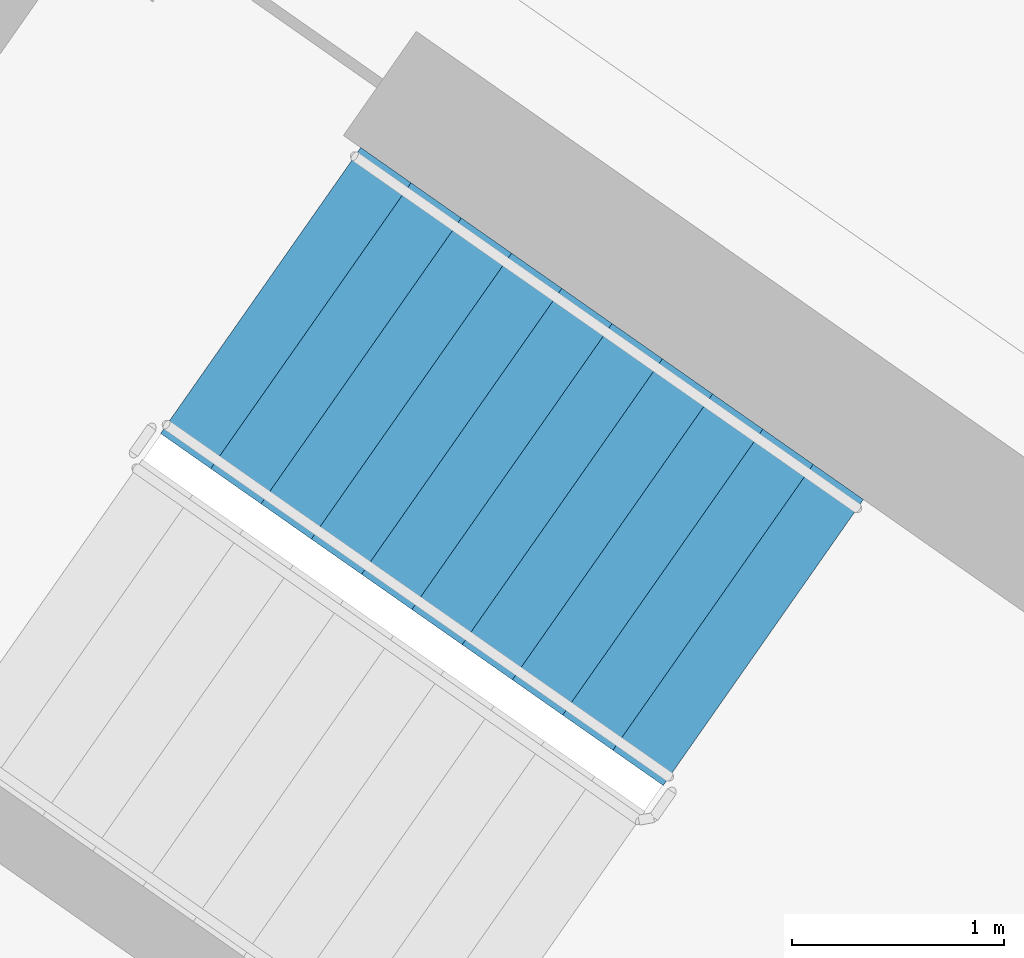
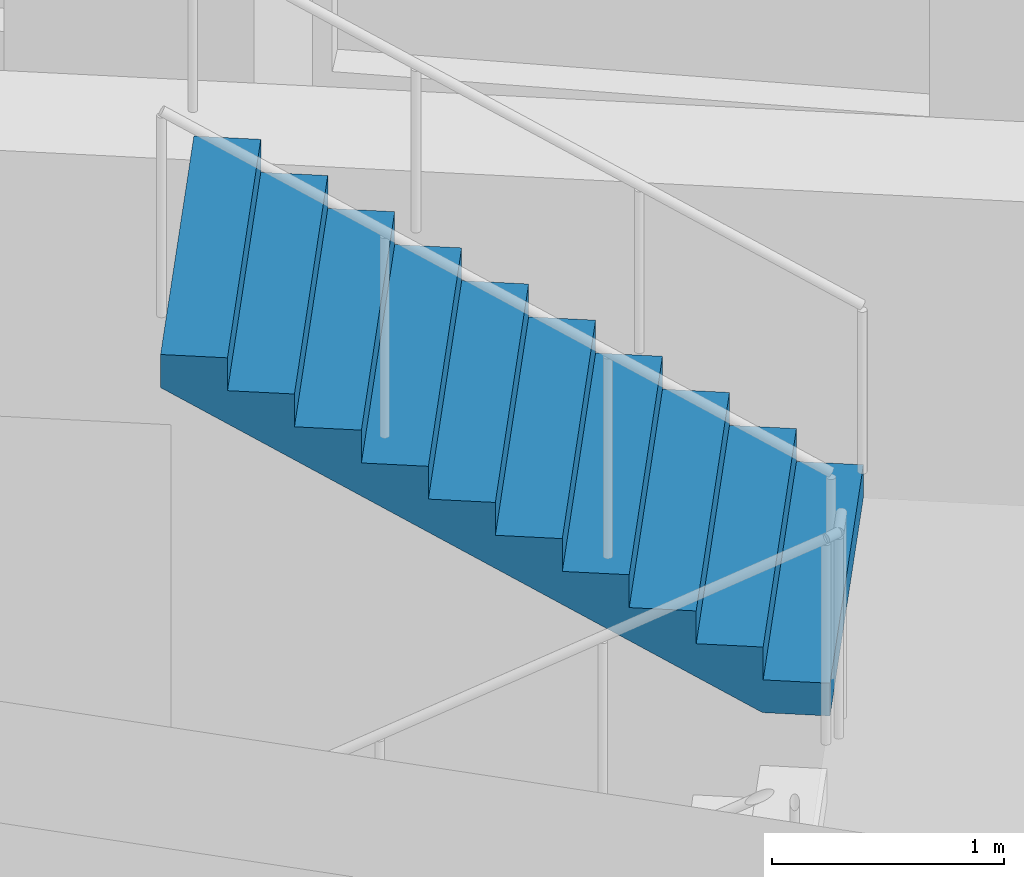
# One storey, part 14 of 26: 1 stair flight, 1 element without a shape of its own.
"""IFC4 building model written with IfcOpenShell, lengths in metres."""

from ifc_helpers import new_model, si_unit, direction, frame, origin, place, context, subcontext, project, spatial, faceted_brep, material, type_object, element, aggregate, save


model = new_model("IFC4")

# Units and contexts
model_context = context("Model", 3, precision=1e-05, world=origin(), true_north=direction((0.0, 1.0)))
body_context = subcontext(model_context, "Body", "Model", "MODEL_VIEW")
ifc_project = project(units=[si_unit("LENGTHUNIT", "METRE"), si_unit("AREAUNIT", "SQUARE_METRE"), si_unit("VOLUMEUNIT", "CUBIC_METRE"), si_unit("PLANEANGLEUNIT", "RADIAN"), si_unit("MASSUNIT", "GRAM", prefix="KILO")], contexts=[model_context])

# Site, building, storey
site_placement = place(None, origin())
site = spatial("IfcSite", under=ifc_project, at=site_placement, CompositionType="ELEMENT")
building_placement = place(site_placement, origin())
building = spatial("IfcBuilding", under=site, at=building_placement, Name="Qamariyya Broadcast Tower", CompositionType="ELEMENT")
storey_placement = place(building_placement, frame((0.0, 0.0, 183.5)))
storey = spatial("IfcBuildingStorey", under=building, at=storey_placement, Name="L43", CompositionType="ELEMENT", Elevation=183.5)

# Stair, stair flight
ifc_material = material(Name="Concrete C50/60", Category="concrete")
stair_type = type_object("IfcStairType", Name="Exit stair 22 risers of 173 mm", PredefinedType="HALF_TURN_STAIR", material=ifc_material)
stair_placement = place(storey_placement, origin())
stair = element("IfcStair", 1, at=stair_placement, inside=storey, type_object=stair_type, Name="L43 Stair W2", PredefinedType="HALF_TURN_STAIR")
stair_flight_type = type_object("IfcStairFlightType", Name="Exit stair flight 11 risers of 173 mm", PredefinedType="STRAIGHT", material=ifc_material)
stair_flight_placement = place(storey_placement, frame((-38.18310546875, -49.3486328125, 1.89990234375), z_axis=(0.0, 0.0, 1.0), x_axis=(-0.819152044289, 0.573576436351, 0.0)))
stair_flight = element("IfcStairFlight", 2, at=stair_flight_placement, type_object=stair_flight_type, Name="ST-W2 flight 2", NumberOfRisers=11, NumberOfTreads=10, PredefinedType="STRAIGHT", RiserHeight=0.172727273, TreadLength=0.29, context=body_context, shape_type="Brep", body=[
    faceted_brep([(0.0, 0.824951171875, 0.0), (0.0, 0.824951171875, 0.172607421875), (0.2900390625, 0.824951171875, 0.172607421875), (0.2900390625, 0.824951171875, 0.345458984375), (0.580078125, 0.824951171875, 0.345458984375), (0.580078125, 0.824951171875, 0.51806640625), (0.8701171875, 0.824951171875, 0.51806640625), (0.8701171875, 0.824951171875, 0.69091796875), (1.159912109375, 0.824951171875, 0.69091796875), (1.159912109375, 0.824951171875, 0.863525390625), (1.449951171875, 0.824951171875, 0.863525390625), (1.449951171875, 0.824951171875, 1.036376953125), (1.739990234375, 0.824951171875, 1.036376953125), (1.739990234375, 0.824951171875, 1.208984375), (2.030029296875, 0.824951171875, 1.208984375), (2.030029296875, 0.824951171875, 1.3818359375), (2.320068359375, 0.824951171875, 1.3818359375), (2.320068359375, 0.824951171875, 1.554443359375), (2.610107421875, 0.824951171875, 1.554443359375), (2.610107421875, 0.824951171875, 1.727294921875), (2.89990234375, 0.824951171875, 1.727294921875), (2.89990234375, 0.824951171875, 1.552734375), (0.29296875, 0.824951171875, 0.0), (0.29296875, -0.824951171875, 0.0), (2.89990234375, -0.824951171875, 1.552734375), (2.89990234375, -0.824951171875, 1.727294921875), (2.610107421875, -0.824951171875, 1.727294921875), (2.610107421875, -0.824951171875, 1.554443359375), (2.320068359375, -0.824951171875, 1.554443359375), (2.320068359375, -0.824951171875, 1.3818359375), (2.030029296875, -0.824951171875, 1.3818359375), (2.030029296875, -0.824951171875, 1.208984375), (1.739990234375, -0.824951171875, 1.208984375), (1.739990234375, -0.824951171875, 1.036376953125), (1.449951171875, -0.824951171875, 1.036376953125), (1.449951171875, -0.824951171875, 0.863525390625), (1.159912109375, -0.824951171875, 0.863525390625), (1.159912109375, -0.824951171875, 0.69091796875), (0.8701171875, -0.824951171875, 0.69091796875), (0.8701171875, -0.824951171875, 0.51806640625), (0.580078125, -0.824951171875, 0.51806640625), (0.580078125, -0.824951171875, 0.345458984375), (0.2900390625, -0.824951171875, 0.345458984375), (0.2900390625, -0.824951171875, 0.172607421875), (0.0, -0.824951171875, 0.172607421875), (0.0, -0.824951171875, 0.0), (0.0, 0.10009765625, 0.0), (0.0, 0.086669921875, 0.0), (0.0, 0.0732421875, 0.0), (0.0, 0.06005859375, 0.0), (0.0, 0.046630859375, 0.0), (0.0, 0.033447265625, 0.0), (0.0, 0.02001953125, 0.0), (0.0, 0.006591796875, 0.0), (0.0, -0.006591796875, 0.0), (0.0, -0.02001953125, 0.0), (0.0, -0.033447265625, 0.0), (0.0, -0.046630859375, 0.0), (0.0, -0.06005859375, 0.0), (0.0, -0.0732421875, 0.0), (0.0, -0.086669921875, 0.0), (0.0, -0.10009765625, 0.0), (0.0, -0.10009765625, 0.172607421875), (0.0, -0.086669921875, 0.172607421875), (0.0, -0.0732421875, 0.172607421875), (0.0, -0.06005859375, 0.172607421875), (0.0, -0.046630859375, 0.172607421875), (0.0, -0.033447265625, 0.172607421875), (0.0, -0.02001953125, 0.172607421875), (0.0, -0.006591796875, 0.172607421875), (0.0, 0.006591796875, 0.172607421875), (0.0, 0.02001953125, 0.172607421875), (0.0, 0.033447265625, 0.172607421875), (0.0, 0.046630859375, 0.172607421875), (0.0, 0.06005859375, 0.172607421875), (0.0, 0.0732421875, 0.172607421875), (0.0, 0.086669921875, 0.172607421875), (0.0, 0.10009765625, 0.172607421875), (0.2900390625, -0.10009765625, 0.172607421875), (0.2900390625, -0.086669921875, 0.172607421875), (0.2900390625, -0.0732421875, 0.172607421875), (0.2900390625, -0.06005859375, 0.172607421875), (0.2900390625, -0.046630859375, 0.172607421875), (0.2900390625, -0.033447265625, 0.172607421875), (0.2900390625, -0.02001953125, 0.172607421875), (0.2900390625, -0.006591796875, 0.172607421875), (0.2900390625, 0.006591796875, 0.172607421875), (0.2900390625, 0.02001953125, 0.172607421875), (0.2900390625, 0.033447265625, 0.172607421875), (0.2900390625, 0.046630859375, 0.172607421875), (0.2900390625, 0.06005859375, 0.172607421875), (0.2900390625, 0.0732421875, 0.172607421875), (0.2900390625, 0.086669921875, 0.172607421875), (0.2900390625, 0.10009765625, 0.172607421875), (0.2900390625, -0.10009765625, 0.345458984375), (0.2900390625, -0.086669921875, 0.345458984375), (0.2900390625, -0.0732421875, 0.345458984375), (0.2900390625, -0.06005859375, 0.345458984375), (0.2900390625, -0.046630859375, 0.345458984375), (0.2900390625, -0.033447265625, 0.345458984375), (0.2900390625, -0.02001953125, 0.345458984375), (0.2900390625, -0.006591796875, 0.345458984375), (0.2900390625, 0.006591796875, 0.345458984375), (0.2900390625, 0.02001953125, 0.345458984375), (0.2900390625, 0.033447265625, 0.345458984375), (0.2900390625, 0.046630859375, 0.345458984375), (0.2900390625, 0.06005859375, 0.345458984375), (0.2900390625, 0.0732421875, 0.345458984375), (0.2900390625, 0.086669921875, 0.345458984375), (0.2900390625, 0.10009765625, 0.345458984375), (0.580078125, -0.10009765625, 0.345458984375), (0.580078125, -0.086669921875, 0.345458984375), (0.580078125, -0.0732421875, 0.345458984375), (0.580078125, -0.06005859375, 0.345458984375), (0.580078125, -0.046630859375, 0.345458984375), (0.580078125, -0.033447265625, 0.345458984375), (0.580078125, -0.02001953125, 0.345458984375), (0.580078125, -0.006591796875, 0.345458984375), (0.580078125, 0.006591796875, 0.345458984375), (0.580078125, 0.02001953125, 0.345458984375), (0.580078125, 0.033447265625, 0.345458984375), (0.580078125, 0.046630859375, 0.345458984375), (0.580078125, 0.06005859375, 0.345458984375), (0.580078125, 0.0732421875, 0.345458984375), (0.580078125, 0.086669921875, 0.345458984375), (0.580078125, 0.10009765625, 0.345458984375), (0.580078125, -0.10009765625, 0.51806640625), (0.580078125, -0.086669921875, 0.51806640625), (0.580078125, -0.0732421875, 0.51806640625), (0.580078125, -0.06005859375, 0.51806640625), (0.580078125, -0.046630859375, 0.51806640625), (0.580078125, -0.033447265625, 0.51806640625), (0.580078125, -0.02001953125, 0.51806640625), (0.580078125, -0.006591796875, 0.51806640625), (0.580078125, 0.006591796875, 0.51806640625), (0.580078125, 0.02001953125, 0.51806640625), (0.580078125, 0.033447265625, 0.51806640625), (0.580078125, 0.046630859375, 0.51806640625), (0.580078125, 0.06005859375, 0.51806640625), (0.580078125, 0.0732421875, 0.51806640625), (0.580078125, 0.086669921875, 0.51806640625), (0.580078125, 0.10009765625, 0.51806640625), (0.8701171875, -0.10009765625, 0.51806640625), (0.8701171875, -0.086669921875, 0.51806640625), (0.8701171875, -0.0732421875, 0.51806640625), (0.8701171875, -0.06005859375, 0.51806640625), (0.8701171875, -0.046630859375, 0.51806640625), (0.8701171875, -0.033447265625, 0.51806640625), (0.8701171875, -0.02001953125, 0.51806640625), (0.8701171875, -0.006591796875, 0.51806640625), (0.8701171875, 0.006591796875, 0.51806640625), (0.8701171875, 0.02001953125, 0.51806640625), (0.8701171875, 0.033447265625, 0.51806640625), (0.8701171875, 0.046630859375, 0.51806640625), (0.8701171875, 0.06005859375, 0.51806640625), (0.8701171875, 0.0732421875, 0.51806640625), (0.8701171875, 0.086669921875, 0.51806640625), (0.8701171875, 0.10009765625, 0.51806640625), (0.8701171875, -0.10009765625, 0.69091796875), (0.8701171875, -0.086669921875, 0.69091796875), (0.8701171875, -0.0732421875, 0.69091796875), (0.8701171875, -0.06005859375, 0.69091796875), (0.8701171875, -0.046630859375, 0.69091796875), (0.8701171875, -0.033447265625, 0.69091796875), (0.8701171875, -0.02001953125, 0.69091796875), (0.8701171875, -0.006591796875, 0.69091796875), (0.8701171875, 0.006591796875, 0.69091796875), (0.8701171875, 0.02001953125, 0.69091796875), (0.8701171875, 0.033447265625, 0.69091796875), (0.8701171875, 0.046630859375, 0.69091796875), (0.8701171875, 0.06005859375, 0.69091796875), (0.8701171875, 0.0732421875, 0.69091796875), (0.8701171875, 0.086669921875, 0.69091796875), (0.8701171875, 0.10009765625, 0.69091796875), (1.159912109375, -0.10009765625, 0.69091796875), (1.159912109375, -0.086669921875, 0.69091796875), (1.159912109375, -0.0732421875, 0.69091796875), (1.159912109375, -0.06005859375, 0.69091796875), (1.159912109375, -0.046630859375, 0.69091796875), (1.159912109375, -0.033447265625, 0.69091796875), (1.159912109375, -0.02001953125, 0.69091796875), (1.159912109375, -0.006591796875, 0.69091796875), (1.159912109375, 0.006591796875, 0.69091796875), (1.159912109375, 0.02001953125, 0.69091796875), (1.159912109375, 0.033447265625, 0.69091796875), (1.159912109375, 0.046630859375, 0.69091796875), (1.159912109375, 0.06005859375, 0.69091796875), (1.159912109375, 0.0732421875, 0.69091796875), (1.159912109375, 0.086669921875, 0.69091796875), (1.159912109375, 0.10009765625, 0.69091796875), (1.159912109375, -0.10009765625, 0.863525390625), (1.159912109375, -0.086669921875, 0.863525390625), (1.159912109375, -0.0732421875, 0.863525390625), (1.159912109375, -0.06005859375, 0.863525390625), (1.159912109375, -0.046630859375, 0.863525390625), (1.159912109375, -0.033447265625, 0.863525390625), (1.159912109375, -0.02001953125, 0.863525390625), (1.159912109375, -0.006591796875, 0.863525390625), (1.159912109375, 0.006591796875, 0.863525390625), (1.159912109375, 0.02001953125, 0.863525390625), (1.159912109375, 0.033447265625, 0.863525390625), (1.159912109375, 0.046630859375, 0.863525390625), (1.159912109375, 0.06005859375, 0.863525390625), (1.159912109375, 0.0732421875, 0.863525390625), (1.159912109375, 0.086669921875, 0.863525390625), (1.159912109375, 0.10009765625, 0.863525390625), (1.449951171875, -0.10009765625, 0.863525390625), (1.449951171875, -0.086669921875, 0.863525390625), (1.449951171875, -0.0732421875, 0.863525390625), (1.449951171875, -0.06005859375, 0.863525390625), (1.449951171875, -0.046630859375, 0.863525390625), (1.449951171875, -0.033447265625, 0.863525390625), (1.449951171875, -0.02001953125, 0.863525390625), (1.449951171875, -0.006591796875, 0.863525390625), (1.449951171875, 0.006591796875, 0.863525390625), (1.449951171875, 0.02001953125, 0.863525390625), (1.449951171875, 0.033447265625, 0.863525390625), (1.449951171875, 0.046630859375, 0.863525390625), (1.449951171875, 0.06005859375, 0.863525390625), (1.449951171875, 0.0732421875, 0.863525390625), (1.449951171875, 0.086669921875, 0.863525390625), (1.449951171875, 0.10009765625, 0.863525390625), (1.449951171875, -0.10009765625, 1.036376953125), (1.449951171875, -0.086669921875, 1.036376953125), (1.449951171875, -0.0732421875, 1.036376953125), (1.449951171875, -0.06005859375, 1.036376953125), (1.449951171875, -0.046630859375, 1.036376953125), (1.449951171875, -0.033447265625, 1.036376953125), (1.449951171875, -0.02001953125, 1.036376953125), (1.449951171875, -0.006591796875, 1.036376953125), (1.449951171875, 0.006591796875, 1.036376953125), (1.449951171875, 0.02001953125, 1.036376953125), (1.449951171875, 0.033447265625, 1.036376953125), (1.449951171875, 0.046630859375, 1.036376953125), (1.449951171875, 0.06005859375, 1.036376953125), (1.449951171875, 0.0732421875, 1.036376953125), (1.449951171875, 0.086669921875, 1.036376953125), (1.449951171875, 0.10009765625, 1.036376953125), (1.739990234375, -0.10009765625, 1.036376953125), (1.739990234375, -0.086669921875, 1.036376953125), (1.739990234375, -0.0732421875, 1.036376953125), (1.739990234375, -0.06005859375, 1.036376953125), (1.739990234375, -0.046630859375, 1.036376953125), (1.739990234375, -0.033447265625, 1.036376953125), (1.739990234375, -0.02001953125, 1.036376953125), (1.739990234375, -0.006591796875, 1.036376953125), (1.739990234375, 0.006591796875, 1.036376953125), (1.739990234375, 0.02001953125, 1.036376953125), (1.739990234375, 0.033447265625, 1.036376953125), (1.739990234375, 0.046630859375, 1.036376953125), (1.739990234375, 0.06005859375, 1.036376953125), (1.739990234375, 0.0732421875, 1.036376953125), (1.739990234375, 0.086669921875, 1.036376953125), (1.739990234375, 0.10009765625, 1.036376953125), (1.739990234375, -0.10009765625, 1.208984375), (1.739990234375, -0.086669921875, 1.208984375), (1.739990234375, -0.0732421875, 1.208984375), (1.739990234375, -0.06005859375, 1.208984375), (1.739990234375, -0.046630859375, 1.208984375), (1.739990234375, -0.033447265625, 1.208984375), (1.739990234375, -0.02001953125, 1.208984375), (1.739990234375, -0.006591796875, 1.208984375), (1.739990234375, 0.006591796875, 1.208984375), (1.739990234375, 0.02001953125, 1.208984375), (1.739990234375, 0.033447265625, 1.208984375), (1.739990234375, 0.046630859375, 1.208984375), (1.739990234375, 0.06005859375, 1.208984375), (1.739990234375, 0.0732421875, 1.208984375), (1.739990234375, 0.086669921875, 1.208984375), (1.739990234375, 0.10009765625, 1.208984375), (2.030029296875, -0.10009765625, 1.208984375), (2.030029296875, -0.086669921875, 1.208984375), (2.030029296875, -0.0732421875, 1.208984375), (2.030029296875, -0.06005859375, 1.208984375), (2.030029296875, -0.046630859375, 1.208984375), (2.030029296875, -0.033447265625, 1.208984375), (2.030029296875, -0.02001953125, 1.208984375), (2.030029296875, -0.006591796875, 1.208984375), (2.030029296875, 0.006591796875, 1.208984375), (2.030029296875, 0.02001953125, 1.208984375), (2.030029296875, 0.033447265625, 1.208984375), (2.030029296875, 0.046630859375, 1.208984375), (2.030029296875, 0.06005859375, 1.208984375), (2.030029296875, 0.0732421875, 1.208984375), (2.030029296875, 0.086669921875, 1.208984375), (2.030029296875, 0.10009765625, 1.208984375), (2.030029296875, -0.10009765625, 1.3818359375), (2.030029296875, -0.086669921875, 1.3818359375), (2.030029296875, -0.0732421875, 1.3818359375), (2.030029296875, -0.06005859375, 1.3818359375), (2.030029296875, -0.046630859375, 1.3818359375), (2.030029296875, -0.033447265625, 1.3818359375), (2.030029296875, -0.02001953125, 1.3818359375), (2.030029296875, -0.006591796875, 1.3818359375), (2.030029296875, 0.006591796875, 1.3818359375), (2.030029296875, 0.02001953125, 1.3818359375), (2.030029296875, 0.033447265625, 1.3818359375), (2.030029296875, 0.046630859375, 1.3818359375), (2.030029296875, 0.06005859375, 1.3818359375), (2.030029296875, 0.0732421875, 1.3818359375), (2.030029296875, 0.086669921875, 1.3818359375), (2.030029296875, 0.10009765625, 1.3818359375), (2.320068359375, -0.10009765625, 1.3818359375), (2.320068359375, -0.086669921875, 1.3818359375), (2.320068359375, -0.0732421875, 1.3818359375), (2.320068359375, -0.06005859375, 1.3818359375), (2.320068359375, -0.046630859375, 1.3818359375), (2.320068359375, -0.033447265625, 1.3818359375), (2.320068359375, -0.02001953125, 1.3818359375), (2.320068359375, -0.006591796875, 1.3818359375), (2.320068359375, 0.006591796875, 1.3818359375), (2.320068359375, 0.02001953125, 1.3818359375), (2.320068359375, 0.033447265625, 1.3818359375), (2.320068359375, 0.046630859375, 1.3818359375), (2.320068359375, 0.06005859375, 1.3818359375), (2.320068359375, 0.0732421875, 1.3818359375), (2.320068359375, 0.086669921875, 1.3818359375), (2.320068359375, 0.10009765625, 1.3818359375), (2.320068359375, -0.10009765625, 1.554443359375), (2.320068359375, -0.086669921875, 1.554443359375), (2.320068359375, -0.0732421875, 1.554443359375), (2.320068359375, -0.06005859375, 1.554443359375), (2.320068359375, -0.046630859375, 1.554443359375), (2.320068359375, -0.033447265625, 1.554443359375), (2.320068359375, -0.02001953125, 1.554443359375), (2.320068359375, -0.006591796875, 1.554443359375), (2.320068359375, 0.006591796875, 1.554443359375), (2.320068359375, 0.02001953125, 1.554443359375), (2.320068359375, 0.033447265625, 1.554443359375), (2.320068359375, 0.046630859375, 1.554443359375), (2.320068359375, 0.06005859375, 1.554443359375), (2.320068359375, 0.0732421875, 1.554443359375), (2.320068359375, 0.086669921875, 1.554443359375), (2.320068359375, 0.10009765625, 1.554443359375), (2.610107421875, -0.10009765625, 1.554443359375), (2.610107421875, -0.086669921875, 1.554443359375), (2.610107421875, -0.0732421875, 1.554443359375), (2.610107421875, -0.06005859375, 1.554443359375), (2.610107421875, -0.046630859375, 1.554443359375), (2.610107421875, -0.033447265625, 1.554443359375), (2.610107421875, -0.02001953125, 1.554443359375), (2.610107421875, -0.006591796875, 1.554443359375), (2.610107421875, 0.006591796875, 1.554443359375), (2.610107421875, 0.02001953125, 1.554443359375), (2.610107421875, 0.033447265625, 1.554443359375), (2.610107421875, 0.046630859375, 1.554443359375), (2.610107421875, 0.06005859375, 1.554443359375), (2.610107421875, 0.0732421875, 1.554443359375), (2.610107421875, 0.086669921875, 1.554443359375), (2.610107421875, 0.10009765625, 1.554443359375), (2.610107421875, -0.10009765625, 1.727294921875), (2.610107421875, -0.086669921875, 1.727294921875), (2.610107421875, -0.0732421875, 1.727294921875), (2.610107421875, -0.06005859375, 1.727294921875), (2.610107421875, -0.046630859375, 1.727294921875), (2.610107421875, -0.033447265625, 1.727294921875), (2.610107421875, -0.02001953125, 1.727294921875), (2.610107421875, -0.006591796875, 1.727294921875), (2.610107421875, 0.006591796875, 1.727294921875), (2.610107421875, 0.02001953125, 1.727294921875), (2.610107421875, 0.033447265625, 1.727294921875), (2.610107421875, 0.046630859375, 1.727294921875), (2.610107421875, 0.06005859375, 1.727294921875), (2.610107421875, 0.0732421875, 1.727294921875), (2.610107421875, 0.086669921875, 1.727294921875), (2.610107421875, 0.10009765625, 1.727294921875), (2.89990234375, -0.10009765625, 1.727294921875), (2.89990234375, -0.086669921875, 1.727294921875), (2.89990234375, -0.0732421875, 1.727294921875), (2.89990234375, -0.06005859375, 1.727294921875), (2.89990234375, -0.046630859375, 1.727294921875), (2.89990234375, -0.033447265625, 1.727294921875), (2.89990234375, -0.02001953125, 1.727294921875), (2.89990234375, -0.006591796875, 1.727294921875), (2.89990234375, 0.006591796875, 1.727294921875), (2.89990234375, 0.02001953125, 1.727294921875), (2.89990234375, 0.033447265625, 1.727294921875), (2.89990234375, 0.046630859375, 1.727294921875), (2.89990234375, 0.06005859375, 1.727294921875), (2.89990234375, 0.0732421875, 1.727294921875), (2.89990234375, 0.086669921875, 1.727294921875), (2.89990234375, 0.10009765625, 1.727294921875), (2.89990234375, -0.10009765625, 1.552734375), (2.89990234375, -0.086669921875, 1.552734375), (2.89990234375, -0.0732421875, 1.552734375), (2.89990234375, -0.06005859375, 1.552734375), (2.89990234375, -0.046630859375, 1.552734375), (2.89990234375, -0.033447265625, 1.552734375), (2.89990234375, -0.02001953125, 1.552734375), (2.89990234375, -0.006591796875, 1.552734375), (2.89990234375, 0.006591796875, 1.552734375), (2.89990234375, 0.02001953125, 1.552734375), (2.89990234375, 0.033447265625, 1.552734375), (2.89990234375, 0.046630859375, 1.552734375), (2.89990234375, 0.06005859375, 1.552734375), (2.89990234375, 0.0732421875, 1.552734375), (2.89990234375, 0.086669921875, 1.552734375), (2.89990234375, 0.10009765625, 1.552734375), (0.29296875, -0.10009765625, 0.0), (0.29296875, -0.086669921875, 0.0), (0.29296875, -0.0732421875, 0.0), (0.29296875, -0.06005859375, 0.0), (0.29296875, -0.046630859375, 0.0), (0.29296875, -0.033447265625, 0.0), (0.29296875, -0.02001953125, 0.0), (0.29296875, -0.006591796875, 0.0), (0.29296875, 0.006591796875, 0.0), (0.29296875, 0.02001953125, 0.0), (0.29296875, 0.033447265625, 0.0), (0.29296875, 0.046630859375, 0.0), (0.29296875, 0.06005859375, 0.0), (0.29296875, 0.0732421875, 0.0), (0.29296875, 0.086669921875, 0.0), (0.29296875, 0.10009765625, 0.0)], [[[0, 1, 2, 3, 4, 5, 6, 7, 8, 9, 10, 11, 12, 13, 14, 15, 16, 17, 18, 19, 20, 21, 22]], [[23, 24, 25, 26, 27, 28, 29, 30, 31, 32, 33, 34, 35, 36, 37, 38, 39, 40, 41, 42, 43, 44, 45]], [[0, 46, 47, 48, 49, 50, 51, 52, 53, 54, 55, 56, 57, 58, 59, 60, 61, 45, 44, 62, 63, 64, 65, 66, 67, 68, 69, 70, 71, 72, 73, 74, 75, 76, 77, 1]], [[1, 77, 76, 75, 74, 73, 72, 71, 70, 69, 68, 67, 66, 65, 64, 63, 62, 44, 43, 78, 79, 80, 81, 82, 83, 84, 85, 86, 87, 88, 89, 90, 91, 92, 93, 2]], [[2, 93, 92, 91, 90, 89, 88, 87, 86, 85, 84, 83, 82, 81, 80, 79, 78, 43, 42, 94, 95, 96, 97, 98, 99, 100, 101, 102, 103, 104, 105, 106, 107, 108, 109, 3]], [[3, 109, 108, 107, 106, 105, 104, 103, 102, 101, 100, 99, 98, 97, 96, 95, 94, 42, 41, 110, 111, 112, 113, 114, 115, 116, 117, 118, 119, 120, 121, 122, 123, 124, 125, 4]], [[4, 125, 124, 123, 122, 121, 120, 119, 118, 117, 116, 115, 114, 113, 112, 111, 110, 41, 40, 126, 127, 128, 129, 130, 131, 132, 133, 134, 135, 136, 137, 138, 139, 140, 141, 5]], [[5, 141, 140, 139, 138, 137, 136, 135, 134, 133, 132, 131, 130, 129, 128, 127, 126, 40, 39, 142, 143, 144, 145, 146, 147, 148, 149, 150, 151, 152, 153, 154, 155, 156, 157, 6]], [[6, 157, 156, 155, 154, 153, 152, 151, 150, 149, 148, 147, 146, 145, 144, 143, 142, 39, 38, 158, 159, 160, 161, 162, 163, 164, 165, 166, 167, 168, 169, 170, 171, 172, 173, 7]], [[7, 173, 172, 171, 170, 169, 168, 167, 166, 165, 164, 163, 162, 161, 160, 159, 158, 38, 37, 174, 175, 176, 177, 178, 179, 180, 181, 182, 183, 184, 185, 186, 187, 188, 189, 8]], [[8, 189, 188, 187, 186, 185, 184, 183, 182, 181, 180, 179, 178, 177, 176, 175, 174, 37, 36, 190, 191, 192, 193, 194, 195, 196, 197, 198, 199, 200, 201, 202, 203, 204, 205, 9]], [[9, 205, 204, 203, 202, 201, 200, 199, 198, 197, 196, 195, 194, 193, 192, 191, 190, 36, 35, 206, 207, 208, 209, 210, 211, 212, 213, 214, 215, 216, 217, 218, 219, 220, 221, 10]], [[10, 221, 220, 219, 218, 217, 216, 215, 214, 213, 212, 211, 210, 209, 208, 207, 206, 35, 34, 222, 223, 224, 225, 226, 227, 228, 229, 230, 231, 232, 233, 234, 235, 236, 237, 11]], [[11, 237, 236, 235, 234, 233, 232, 231, 230, 229, 228, 227, 226, 225, 224, 223, 222, 34, 33, 238, 239, 240, 241, 242, 243, 244, 245, 246, 247, 248, 249, 250, 251, 252, 253, 12]], [[12, 253, 252, 251, 250, 249, 248, 247, 246, 245, 244, 243, 242, 241, 240, 239, 238, 33, 32, 254, 255, 256, 257, 258, 259, 260, 261, 262, 263, 264, 265, 266, 267, 268, 269, 13]], [[13, 269, 268, 267, 266, 265, 264, 263, 262, 261, 260, 259, 258, 257, 256, 255, 254, 32, 31, 270, 271, 272, 273, 274, 275, 276, 277, 278, 279, 280, 281, 282, 283, 284, 285, 14]], [[14, 285, 284, 283, 282, 281, 280, 279, 278, 277, 276, 275, 274, 273, 272, 271, 270, 31, 30, 286, 287, 288, 289, 290, 291, 292, 293, 294, 295, 296, 297, 298, 299, 300, 301, 15]], [[15, 301, 300, 299, 298, 297, 296, 295, 294, 293, 292, 291, 290, 289, 288, 287, 286, 30, 29, 302, 303, 304, 305, 306, 307, 308, 309, 310, 311, 312, 313, 314, 315, 316, 317, 16]], [[16, 317, 316, 315, 314, 313, 312, 311, 310, 309, 308, 307, 306, 305, 304, 303, 302, 29, 28, 318, 319, 320, 321, 322, 323, 324, 325, 326, 327, 328, 329, 330, 331, 332, 333, 17]], [[17, 333, 332, 331, 330, 329, 328, 327, 326, 325, 324, 323, 322, 321, 320, 319, 318, 28, 27, 334, 335, 336, 337, 338, 339, 340, 341, 342, 343, 344, 345, 346, 347, 348, 349, 18]], [[18, 349, 348, 347, 346, 345, 344, 343, 342, 341, 340, 339, 338, 337, 336, 335, 334, 27, 26, 350, 351, 352, 353, 354, 355, 356, 357, 358, 359, 360, 361, 362, 363, 364, 365, 19]], [[19, 365, 364, 363, 362, 361, 360, 359, 358, 357, 356, 355, 354, 353, 352, 351, 350, 26, 25, 366, 367, 368, 369, 370, 371, 372, 373, 374, 375, 376, 377, 378, 379, 380, 381, 20]], [[20, 381, 380, 379, 378, 377, 376, 375, 374, 373, 372, 371, 370, 369, 368, 367, 366, 25, 24, 382, 383, 384, 385, 386, 387, 388, 389, 390, 391, 392, 393, 394, 395, 396, 397, 21]], [[21, 397, 396, 395, 394, 393, 392, 391, 390, 389, 388, 387, 386, 385, 384, 383, 382, 24, 23, 398, 399, 400, 401, 402, 403, 404, 405, 406, 407, 408, 409, 410, 411, 412, 413, 22]], [[22, 413, 412, 411, 410, 409, 408, 407, 406, 405, 404, 403, 402, 401, 400, 399, 398, 23, 45, 61, 60, 59, 58, 57, 56, 55, 54, 53, 52, 51, 50, 49, 48, 47, 46, 0]]]),
])
aggregate(stair, [stair_flight])

save(model, "model.ifc")
